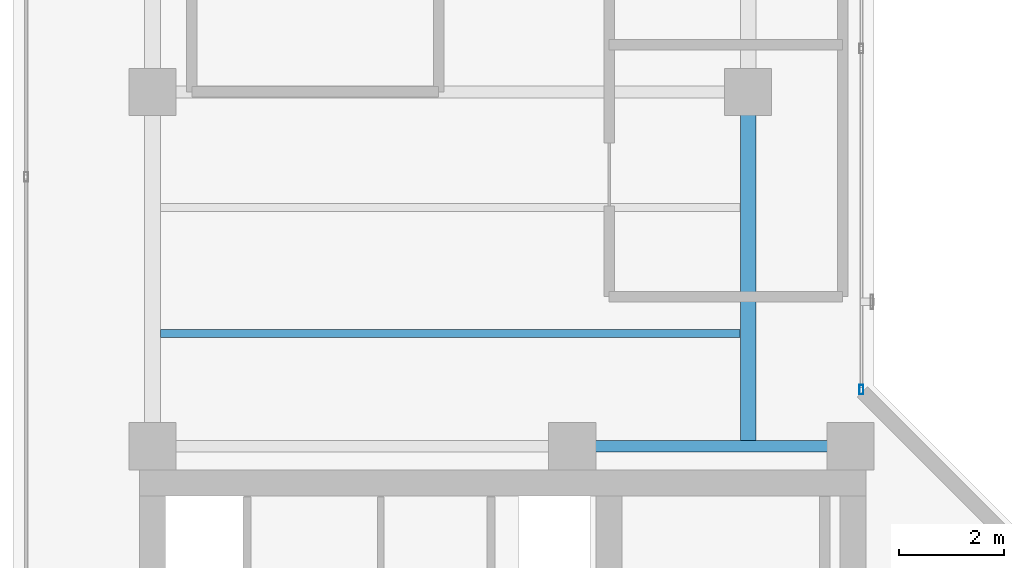
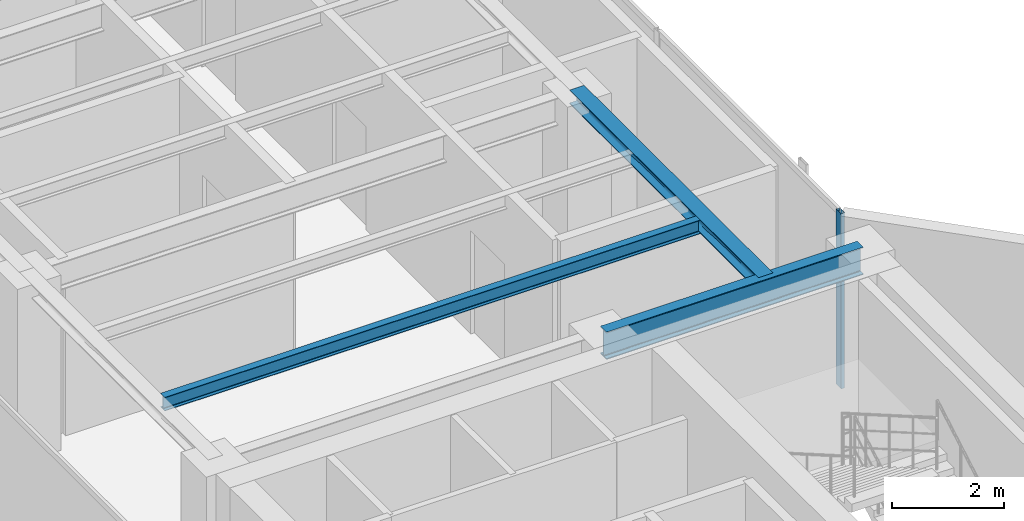
# One storey, part 9 of 24: 3 beams, 1 member, 1 element without a shape of its own.
"""IFC4 building model written with IfcOpenShell, lengths in metres."""

from ifc_helpers import new_model, si_unit, direction, frame, origin, origin_with_axes, origin_2d, place, context, subcontext, project, spatial, hollow_rectangle, i_section, extrude, source, transform, mapped, material, layer, layer_set, material_profile, profile_set, type_object, element, aggregate, save


model = new_model("IFC4")

# Units and contexts
model_context = context("Model", 3, precision=1e-05, world=origin(), true_north=direction((0.0, 1.0)))
body_context = subcontext(model_context, "Body", "Model", "MODEL_VIEW")
ifc_project = project(units=[si_unit("LENGTHUNIT", "METRE"), si_unit("AREAUNIT", "SQUARE_METRE"), si_unit("VOLUMEUNIT", "CUBIC_METRE"), si_unit("PLANEANGLEUNIT", "RADIAN"), si_unit("MASSUNIT", "GRAM", prefix="KILO")], contexts=[model_context])

# Site, building, storey
site_placement = place(None, origin())
site = spatial("IfcSite", under=ifc_project, at=site_placement, CompositionType="ELEMENT")
building_placement = place(site_placement, origin())
building = spatial("IfcBuilding", under=site, at=building_placement, Name="Kolvaren Waterfront Exchange", CompositionType="ELEMENT")
storey_placement = place(building_placement, frame((0.0, 0.0, 356.199951171875)))
storey = spatial("IfcBuildingStorey", under=building, at=storey_placement, Name="L91", CompositionType="ELEMENT", Elevation=356.199951171875)

# Beams
ifc_material_1 = material(Name="Steel S355", Category="steel")
ifc_material_profile_1 = material_profile(ifc_material_1, i_section(OverallWidth=0.300048828125, OverallDepth=0.300048828125, WebThickness=0.010986328125, FlangeThickness=0.01904296875, FilletRadius=0.027099609375, at=origin_2d()), Name="HEB300")
ifc_profile_set_1 = profile_set([ifc_material_profile_1], Name="Steel S355")
beam_type_1 = type_object("IfcBeamType", Name="STR-BM-HEB300", PredefinedType="SPANDREL", material=ifc_profile_set_1)
beam_1_placement = place(storey_placement, frame((18.800048828125, 24.449951171875, 3.670166015625), z_axis=(0.0, 1.0, 0.0), x_axis=(-1.0, 0.0, 0.0)))
element("IfcBeam", 1, at=beam_1_placement, inside=storey, type_object=beam_type_1, Name="L91 north-arm edge beam 1", PredefinedType="SPANDREL", context=body_context, shape_type="SweptSolid", body=[
    extrude(i_section(OverallWidth=0.300048828125, OverallDepth=0.300048828125, WebThickness=0.010986328125, FlangeThickness=0.01904296875, FilletRadius=0.027099609375, at=origin_2d()), origin(), (0.0, 0.0, 1.0), 6.75),
])
ifc_material_profile_2 = material_profile(ifc_material_1, i_section(OverallWidth=0.14990234375, OverallDepth=0.300048828125, WebThickness=0.007080078125, FlangeThickness=0.0107421875, FilletRadius=0.014892578125, at=origin_2d()), Name="IPE300")
ifc_profile_set_2 = profile_set([ifc_material_profile_2], Name="Steel S355")
beam_type_2 = type_object("IfcBeamType", Name="STR-BM-IPE300", PredefinedType="JOIST", material=ifc_profile_set_2)
beam_2_placement = place(storey_placement, frame((7.60205078125, 26.60009765625, 3.670166015625), z_axis=(1.0, 0.0, 0.0), x_axis=(0.0, 1.0, 0.0)))
element("IfcBeam", 2, at=beam_2_placement, inside=storey, type_object=beam_type_2, Name="L91 north-arm composite joist 1", PredefinedType="JOIST", context=body_context, shape_type="SweptSolid", body=[
    extrude(i_section(OverallWidth=0.14990234375, OverallDepth=0.300048828125, WebThickness=0.007080078125, FlangeThickness=0.0107421875, FilletRadius=0.014892578125, at=origin_2d()), origin(), (0.0, 0.0, 1.0), 11.0458984375),
])
ifc_material_profile_3 = material_profile(ifc_material_1, i_section(OverallWidth=0.219970703125, OverallDepth=0.60009765625, WebThickness=0.011962890625, FlangeThickness=0.01904296875, FilletRadius=0.02392578125, at=origin_2d()), Name="IPE600")
ifc_profile_set_3 = profile_set([ifc_material_profile_3], Name="Steel S355")
beam_type_3 = type_object("IfcBeamType", Name="STR-BM-IPE600", PredefinedType="BEAM", material=ifc_profile_set_3)
beam_3_placement = place(storey_placement, frame((15.449951171875, 24.449951171875, 3.52001953125), z_axis=(1.0, 0.0, 0.0), x_axis=(0.0, 1.0, 0.0)))
element("IfcBeam", 3, at=beam_3_placement, inside=storey, type_object=beam_type_3, Name="L91 north-arm girder 1B", PredefinedType="BEAM", context=body_context, shape_type="SweptSolid", body=[
    extrude(i_section(OverallWidth=0.219970703125, OverallDepth=0.60009765625, WebThickness=0.011962890625, FlangeThickness=0.01904296875, FilletRadius=0.02392578125, at=origin_2d()), origin(), (0.0, 0.0, 1.0), 5.300048828125),
])

# Curtain wall, member
ifc_material_2 = material(Name="Anodised dark bronze spandrel aluminium", Category="aluminium")
ifc_layer = layer(ifc_material_2, 0.219970703125, Name="Anodised dark bronze spandrel aluminium")
ifc_layer_set = layer_set([ifc_layer], Name="Anodised dark bronze spandrel aluminium")
curtain_wall_type = type_object("IfcCurtainWallType", Name="ARC-CW-SYS6", PredefinedType="USERDEFINED", material=ifc_layer_set)
curtain_wall_placement = place(storey_placement, origin())
curtain_wall = element("IfcCurtainWall", 4, at=curtain_wall_placement, inside=storey, type_object=curtain_wall_type, Name="L91 stick curtain wall CW6 (CW-L91-NE)", ObjectType="STICK CURTAIN WALL", PredefinedType="USERDEFINED")
ifc_material_3 = material(Name="Anodised bronze aluminium 6063-T6", Category="aluminium")
ifc_material_profile_4 = material_profile(ifc_material_3, hollow_rectangle(XDim=0.074951171875, YDim=0.179931640625, WallThickness=0.00439453125, at=origin_2d()), Name="ALU-MUL-180x75x4.5")
ifc_profile_set_4 = profile_set([ifc_material_profile_4], Name="Anodised bronze aluminium 6063-T6")
member_type = type_object("IfcMemberType", Name="ARC-CWM-180", PredefinedType="MULLION", material=ifc_profile_set_4)
shared_shape = source(origin_with_axes(), body_context, "Body", "SweptSolid", [
    extrude(hollow_rectangle(XDim=0.074951171875, YDim=0.179931640625, WallThickness=0.00439453125, at=origin_2d()), origin(), (0.0, 0.0, 1.0), 3.820068359375),
])
member_placement = place(storey_placement, frame((20.9599609375, 25.527587890625, 0.0), z_axis=(0.0, 0.0, 1.0), x_axis=(-1.0, 0.0, 0.0)))
member = element("IfcMember", 5, at=member_placement, type_object=member_type, Name="CW6 mullion 1", PredefinedType="MULLION", context=body_context, shape_type="MappedRepresentation", body=[
    mapped(shared_shape, transform((0.0, 0.0, 0.0), x_axis=(1.0, 0.0, 0.0), y_axis=(0.0, 1.0, 0.0), z_axis=(0.0, 0.0, 1.0), scale=1.0)),
])
aggregate(curtain_wall, [member])

save(model, "model.ifc")
